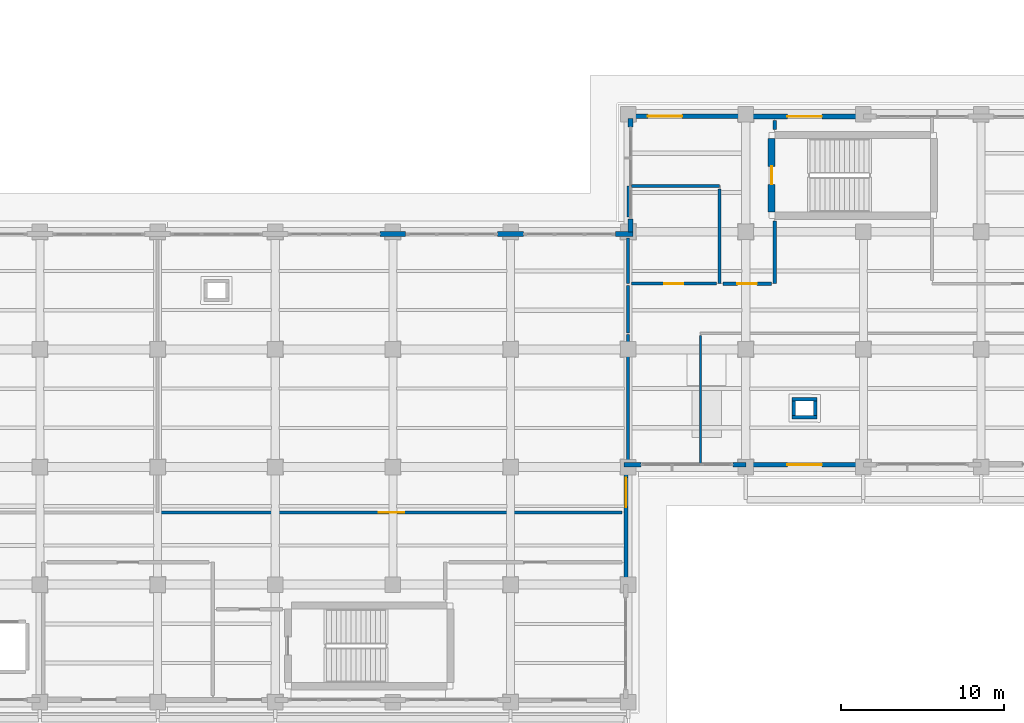
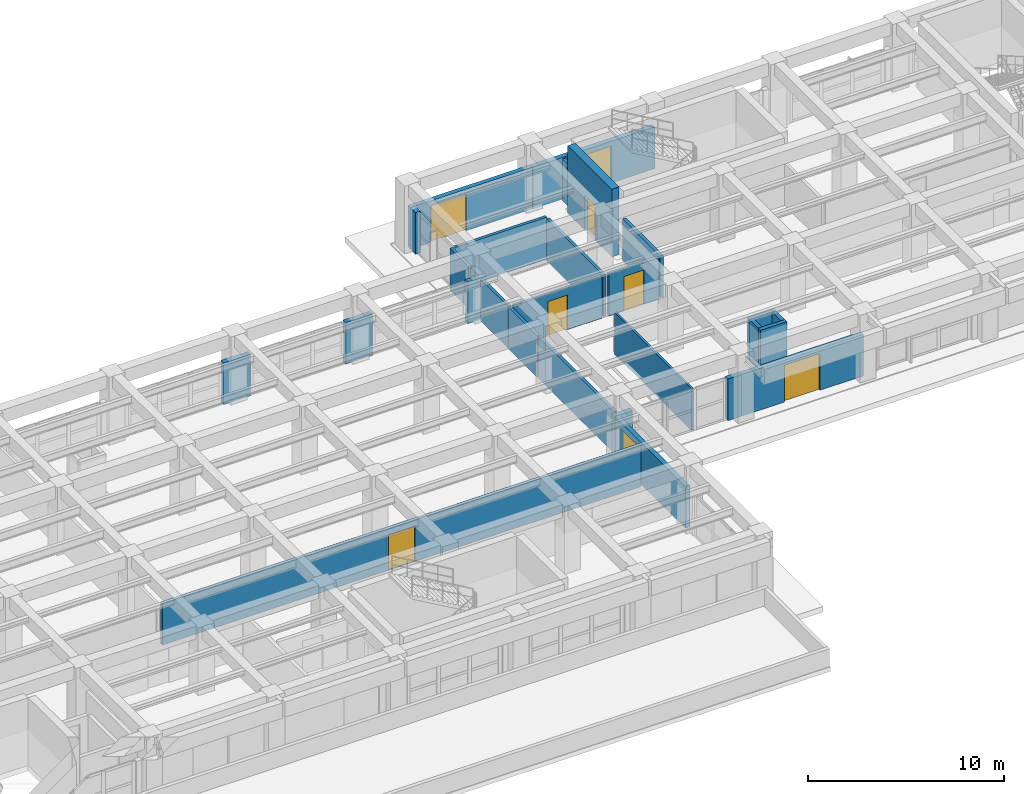
# One storey, part 43 of 64: 28 walls, 8 doors, 8 openings.
"""IFC4 building model written with IfcOpenShell, lengths in metres."""

from ifc_helpers import new_model, si_unit, direction, frame, frame_2d, origin, place, context, subcontext, project, spatial, rectangle, extrude, material, layer, layer_set, type_object, element, fill, save


model = new_model("IFC4")

# Units and contexts
model_context = context("Model", 3, precision=1e-05, world=origin(), true_north=direction((0.0, 1.0)))
body_context = subcontext(model_context, "Body", "Model", "MODEL_VIEW")
ifc_project = project(units=[si_unit("LENGTHUNIT", "METRE"), si_unit("AREAUNIT", "SQUARE_METRE"), si_unit("VOLUMEUNIT", "CUBIC_METRE"), si_unit("PLANEANGLEUNIT", "RADIAN"), si_unit("MASSUNIT", "GRAM", prefix="KILO")], contexts=[model_context])

# Site, building, storey
site_placement = place(None, origin())
site = spatial("IfcSite", under=ifc_project, at=site_placement, CompositionType="ELEMENT")
building_placement = place(site_placement, origin())
building = spatial("IfcBuilding", under=site, at=building_placement, Name="Solenvale Faculty of Natural Sciences", CompositionType="ELEMENT")
storey_placement = place(building_placement, origin())
storey = spatial("IfcBuildingStorey", under=building, at=storey_placement, Name="L00", CompositionType="ELEMENT", Elevation=0.0)

# Wall, opening, door
ifc_material_1 = material(Name="Precast concrete 40 MPa", Category="concrete")
ifc_layer_1 = layer(ifc_material_1, 0.264892578125)
ifc_layer_set_1 = layer_set([ifc_layer_1], Name="Precast concrete 40 MPa")
wall_type_1 = type_object("IfcWallType", Name="WL-EXT-PRC-265", PredefinedType="STANDARD", material=ifc_layer_set_1)
wall_1_placement = place(storey_placement, frame((115.0673828125, 36.0, 0.0), z_axis=(0.0, 0.0, 1.0), x_axis=(0.0, -1.0, 0.0)))
wall_1 = element("IfcWall", 1, at=wall_1_placement, inside=storey, type_object=wall_type_1, Name="L00 Exterior Wall 4.2", PredefinedType="STANDARD", context=body_context, shape_type="SweptSolid", body=[
    extrude(rectangle(XDim=7.199951171875, YDim=0.264892578125, at=frame_2d((3.60009765625, 0.0))), origin(), (0.0, 0.0, 1.0), 2.60009765625),
])
opening_1_placement = place(wall_1_placement, frame((0.64990234375, 0.0, 0.0)))
opening_1 = element("IfcOpeningElement", 2, at=opening_1_placement, cuts=wall_1, Name="Opening EX-05", PredefinedType="OPENING", context=body_context, shape_type="SweptSolid", body=[
    extrude(rectangle(XDim=1.800048828125, YDim=2.199951171875, at=frame_2d((0.89990234375, 1.10009765625))), frame((0.0, 0.142333984375, 0.0), z_axis=(0.0, -1.0, 0.0), x_axis=(1.0, 0.0, 0.0)), (0.0, 0.0, 1.0), 0.284912109375),
])
ifc_material_2 = material(Name="Anodised bronze aluminium", Category="aluminium")
door_type_1 = type_object("IfcDoorType", Name="DR-EXT-1800x2200", OperationType="NOTDEFINED", PredefinedType="DOOR", material=ifc_material_2)
door_1_placement = place(opening_1_placement, origin())
door_1 = element("IfcDoor", 3, at=door_1_placement, inside=storey, type_object=door_type_1, Name="L00 Exterior Exit Door EX-05", OperationType="DOUBLE_DOOR_SINGLE_SWING", OverallHeight=2.199951171875, OverallWidth=1.800048828125, PredefinedType="DOOR", context=body_context, shape_type="SweptSolid", body=[
    extrude(rectangle(XDim=1.800048828125, YDim=2.199951171875, at=frame_2d((0.89990234375, 1.10009765625))), frame((0.0, 0.02490234375, 0.0), z_axis=(0.0, -1.0, 0.0), x_axis=(1.0, 0.0, 0.0)), (0.0, 0.0, 1.0), 0.050048828125),
])
fill(opening_1, door_1)

wall_2_placement = place(storey_placement, frame((129.60009765625, 36.132568359375, 0.0), z_axis=(0.0, 0.0, 1.0), x_axis=(-1.0, 0.0, 0.0)))
wall_2 = element("IfcWall", 4, at=wall_2_placement, inside=storey, type_object=wall_type_1, Name="L00 Exterior Wall 5.2", PredefinedType="STANDARD", context=body_context, shape_type="SweptSolid", body=[
    extrude(rectangle(XDim=7.2001953125, YDim=0.264892578125, at=frame_2d((3.60009765625, 0.0))), origin(), (0.0, 0.0, 1.0), 2.60009765625),
])
opening_2_placement = place(wall_2_placement, frame((2.550048828125, 0.0, 0.0)))
opening_2 = element("IfcOpeningElement", 5, at=opening_2_placement, cuts=wall_2, Name="Opening EX-06", PredefinedType="OPENING", context=body_context, shape_type="SweptSolid", body=[
    extrude(rectangle(XDim=2.10009765625, YDim=2.300048828125, at=frame_2d((1.050048828125, 1.14990234375))), frame((0.0, 0.142333984375, 0.0), z_axis=(0.0, -1.0, 0.0), x_axis=(1.0, 0.0, 0.0)), (0.0, 0.0, 1.0), 0.284912109375),
])
door_type_2 = type_object("IfcDoorType", Name="DR-EXT-2100x2300", OperationType="NOTDEFINED", PredefinedType="DOOR", material=ifc_material_2)
door_2_placement = place(opening_2_placement, origin())
door_2 = element("IfcDoor", 6, at=door_2_placement, inside=storey, type_object=door_type_2, Name="L00 Exterior Exit Door EX-06", OperationType="DOUBLE_DOOR_SINGLE_SWING", OverallHeight=2.300048828125, OverallWidth=2.10009765625, PredefinedType="DOOR", context=body_context, shape_type="SweptSolid", body=[
    extrude(rectangle(XDim=2.10009765625, YDim=2.300048828125, at=frame_2d((1.050048828125, 1.14990234375))), frame((0.0, 0.02490234375, 0.0), z_axis=(0.0, -1.0, 0.0), x_axis=(1.0, 0.0, 0.0)), (0.0, 0.0, 1.0), 0.050048828125),
])
fill(opening_2, door_2)

wall_3_placement = place(storey_placement, frame((115.199951171875, 57.467529296875, 0.0), z_axis=(0.0, 0.0, 1.0), x_axis=(1.0, 0.0, 0.0)))
wall_3 = element("IfcWall", 7, at=wall_3_placement, inside=storey, type_object=wall_type_1, Name="L00 Exterior Wall 7.7", PredefinedType="STANDARD", context=body_context, shape_type="SweptSolid", body=[
    extrude(rectangle(XDim=7.199951171875, YDim=0.264892578125, at=frame_2d((3.60009765625, 0.0))), origin(), (0.0, 0.0, 1.0), 2.60009765625),
])
opening_3_placement = place(wall_3_placement, frame((1.199951171875, 0.0, 0.0)))
opening_3 = element("IfcOpeningElement", 8, at=opening_3_placement, cuts=wall_3, Name="Opening EX-11", PredefinedType="OPENING", context=body_context, shape_type="SweptSolid", body=[
    extrude(rectangle(XDim=2.10009765625, YDim=2.300048828125, at=frame_2d((1.050048828125, 1.14990234375))), frame((0.0, 0.142333984375, 0.0), z_axis=(0.0, -1.0, 0.0), x_axis=(1.0, 0.0, 0.0)), (0.0, 0.0, 1.0), 0.284912109375),
])
door_3_placement = place(opening_3_placement, origin())
door_3 = element("IfcDoor", 9, at=door_3_placement, inside=storey, type_object=door_type_2, Name="L00 Exterior Exit Door EX-11", OperationType="DOUBLE_DOOR_SINGLE_SWING", OverallHeight=2.300048828125, OverallWidth=2.10009765625, PredefinedType="DOOR", context=body_context, shape_type="SweptSolid", body=[
    extrude(rectangle(XDim=2.10009765625, YDim=2.300048828125, at=frame_2d((1.050048828125, 1.14990234375))), frame((0.0, 0.02490234375, 0.0), z_axis=(0.0, -1.0, 0.0), x_axis=(1.0, 0.0, 0.0)), (0.0, 0.0, 1.0), 0.050048828125),
])
fill(opening_3, door_3)

# Walls
ifc_layer_2 = layer(ifc_material_1, 0.284912109375)
ifc_layer_set_2 = layer_set([ifc_layer_2], Name="Precast concrete 40 MPa")
wall_type_2 = type_object("IfcWallType", Name="WL-EXT-PRC-285", PredefinedType="STANDARD", material=ifc_layer_set_2)
wall_4_placement = place(storey_placement, frame((114.93505859375, 36.142578125, 0.0), z_axis=(0.0, 0.0, 1.0), x_axis=(1.0, 0.0, 0.0)))
element("IfcWall", 10, at=wall_4_placement, inside=storey, type_object=wall_type_2, Name="L00 Facade Closure Pier 5.B1-L", PredefinedType="STANDARD", context=body_context, shape_type="SweptSolid", body=[
    extrude(rectangle(XDim=1.052978515625, YDim=0.284912109375, at=frame_2d((0.5263671875, 0.0))), origin(), (0.0, 0.0, 1.0), 2.60009765625),
])
wall_5_placement = place(storey_placement, frame((121.612060546875, 36.142578125, 0.0), z_axis=(0.0, 0.0, 1.0), x_axis=(1.0, 0.0, 0.0)))
element("IfcWall", 11, at=wall_5_placement, inside=storey, type_object=wall_type_2, Name="L00 Facade Closure Pier 5.B1-R", PredefinedType="STANDARD", context=body_context, shape_type="SweptSolid", body=[
    extrude(rectangle(XDim=0.787841796875, YDim=0.284912109375, at=frame_2d((0.39404296875, 0.0))), origin(), (0.0, 0.0, 1.0), 2.60009765625),
])

# Wall, opening, door
wall_6_placement = place(storey_placement, frame((122.39990234375, 57.45751953125, 0.0), z_axis=(0.0, 0.0, 1.0), x_axis=(1.0, 0.0, 0.0)))
wall_6 = element("IfcWall", 12, at=wall_6_placement, inside=storey, type_object=wall_type_2, Name="L00 Exterior Wall 7.6", PredefinedType="STANDARD", context=body_context, shape_type="SweptSolid", body=[
    extrude(rectangle(XDim=7.2001953125, YDim=0.284912109375, at=frame_2d((3.60009765625, 0.0))), origin(), (0.0, 0.0, 1.0), 2.60009765625),
])
opening_4_placement = place(wall_6_placement, frame((2.550048828125, 0.0, 0.0)))
opening_4 = element("IfcOpeningElement", 13, at=opening_4_placement, cuts=wall_6, Name="Opening EX-10", PredefinedType="OPENING", context=body_context, shape_type="SweptSolid", body=[
    extrude(rectangle(XDim=2.10009765625, YDim=2.300048828125, at=frame_2d((1.050048828125, 1.14990234375))), frame((0.0, 0.15234375, 0.0), z_axis=(0.0, -1.0, 0.0), x_axis=(1.0, 0.0, 0.0)), (0.0, 0.0, 1.0), 0.304931640625),
])
door_4_placement = place(opening_4_placement, origin())
door_4 = element("IfcDoor", 14, at=door_4_placement, inside=storey, type_object=door_type_2, Name="L00 Exterior Exit Door EX-10", OperationType="DOUBLE_DOOR_SINGLE_SWING", OverallHeight=2.300048828125, OverallWidth=2.10009765625, PredefinedType="DOOR", context=body_context, shape_type="SweptSolid", body=[
    extrude(rectangle(XDim=2.10009765625, YDim=2.300048828125, at=frame_2d((1.050048828125, 1.14990234375))), frame((0.0, 0.02490234375, 0.0), z_axis=(0.0, -1.0, 0.0), x_axis=(1.0, 0.0, 0.0)), (0.0, 0.0, 1.0), 0.050048828125),
])
fill(opening_4, door_4)

# Walls
wall_7_placement = place(storey_placement, frame((115.342529296875, 57.3349609375, 0.0), z_axis=(0.0, 0.0, 1.0), x_axis=(0.0, -1.0, 0.0)))
element("IfcWall", 15, at=wall_7_placement, inside=storey, type_object=wall_type_2, Name="L00 Facade Closure Pier 8.B1-L", PredefinedType="STANDARD", context=body_context, shape_type="SweptSolid", body=[
    extrude(rectangle(XDim=0.52294921875, YDim=0.284912109375, at=frame_2d((0.261474609375, 0.0))), origin(), (0.0, 0.0, 1.0), 2.60009765625),
])
wall_8_placement = place(storey_placement, frame((115.342529296875, 51.18798828125, 0.0), z_axis=(0.0, 0.0, 1.0), x_axis=(0.0, -1.0, 0.0)))
element("IfcWall", 16, at=wall_8_placement, inside=storey, type_object=wall_type_2, Name="L00 Facade Closure Pier 8.B1-R", PredefinedType="STANDARD", context=body_context, shape_type="SweptSolid", body=[
    extrude(rectangle(XDim=0.7880859375, YDim=0.284912109375, at=frame_2d((0.39404296875, 0.0))), origin(), (0.0, 0.0, 1.0), 2.60009765625),
])
wall_9_placement = place(storey_placement, frame((115.485107421875, 50.257568359375, 0.0), z_axis=(0.0, 0.0, 1.0), x_axis=(-1.0, 0.0, 0.0)))
element("IfcWall", 17, at=wall_9_placement, inside=storey, type_object=wall_type_2, Name="L00 Facade Closure Pier 9.B1-L", PredefinedType="STANDARD", context=body_context, shape_type="SweptSolid", body=[
    extrude(rectangle(XDim=1.072998046875, YDim=0.284912109375, at=frame_2d((0.53662109375, 0.0))), origin(), (0.0, 0.0, 1.0), 2.60009765625),
])
wall_10_placement = place(storey_placement, frame((108.7880859375, 50.257568359375, 0.0), z_axis=(0.0, 0.0, 1.0), x_axis=(-1.0, 0.0, 0.0)))
element("IfcWall", 18, at=wall_10_placement, inside=storey, type_object=wall_type_2, Name="L00 Facade Closure Pier 9.B1-R", PredefinedType="STANDARD", context=body_context, shape_type="SweptSolid", body=[
    extrude(rectangle(XDim=1.576171875, YDim=0.284912109375, at=frame_2d((0.7880859375, 0.0))), origin(), (0.0, 0.0, 1.0), 2.60009765625),
])
wall_11_placement = place(storey_placement, frame((101.587890625, 50.257568359375, 0.0), z_axis=(0.0, 0.0, 1.0), x_axis=(-1.0, 0.0, 0.0)))
element("IfcWall", 19, at=wall_11_placement, inside=storey, type_object=wall_type_2, Name="L00 Facade Closure Pier 9.B2-R", PredefinedType="STANDARD", context=body_context, shape_type="SweptSolid", body=[
    extrude(rectangle(XDim=1.575927734375, YDim=0.284912109375, at=frame_2d((0.7880859375, 0.0))), origin(), (0.0, 0.0, 1.0), 2.60009765625),
])
ifc_material_3 = material(Name="Gypsum fire-rated shaftwall")
ifc_layer_3 = layer(ifc_material_3, 0.205078125)
ifc_layer_set_3 = layer_set([ifc_layer_3], Name="Gypsum fire-rated shaftwall")
wall_type_3 = type_object("IfcWallType", Name="WL-FFL-205", PredefinedType="PARTITIONING", material=ifc_layer_set_3)
wall_12_placement = place(storey_placement, frame((124.179931640625, 57.200927734375, 0.0), z_axis=(0.0, 0.0, 1.0), x_axis=(0.0, -1.0, 0.0)))
element("IfcWall", 20, at=wall_12_placement, inside=storey, type_object=wall_type_3, Name="L00 Protected Exit Vestibule ST-08 Partition 5", PredefinedType="PARTITIONING", context=body_context, shape_type="SweptSolid", body=[
    extrude(rectangle(XDim=0.5478515625, YDim=0.205078125, at=frame_2d((0.27392578125, 0.0))), origin(), (0.0, 0.0, 1.0), 2.60009765625),
])
wall_13_placement = place(storey_placement, frame((124.179931640625, 51.047119140625, 0.0), z_axis=(0.0, 0.0, 1.0), x_axis=(0.0, -1.0, 0.0)))
element("IfcWall", 21, at=wall_13_placement, inside=storey, type_object=wall_type_3, Name="L00 Protected Exit Vestibule ST-08 Partition 6", PredefinedType="PARTITIONING", context=body_context, shape_type="SweptSolid", body=[
    extrude(rectangle(XDim=3.8271484375, YDim=0.205078125, at=frame_2d((1.91357421875, 0.0))), origin(), (0.0, 0.0, 1.0), 2.60009765625),
])

# Wall, opening, door
wall_14_placement = place(storey_placement, frame((123.962890625, 47.219970703125, 0.0), z_axis=(0.0, 0.0, 1.0), x_axis=(-1.0, 0.0, 0.0)))
wall_14 = element("IfcWall", 22, at=wall_14_placement, inside=storey, type_object=wall_type_3, Name="L00 Protected Exit Vestibule ST-08 Partition 7", PredefinedType="PARTITIONING", context=body_context, shape_type="SweptSolid", body=[
    extrude(rectangle(XDim=2.9580078125, YDim=0.205078125, at=frame_2d((1.47900390625, 0.0))), origin(), (0.0, 0.0, 1.0), 2.60009765625),
])
opening_5_placement = place(wall_14_placement, frame((0.87890625, 0.0, 0.0)))
opening_5 = element("IfcOpeningElement", 23, at=opening_5_placement, cuts=wall_14, Name="Opening D-L00-32", PredefinedType="OPENING", context=body_context, shape_type="SweptSolid", body=[
    extrude(rectangle(XDim=1.199951171875, YDim=2.14990234375, at=frame_2d((0.60009765625, 1.074951171875))), frame((0.0, 0.112548828125, 0.0), z_axis=(0.0, -1.0, 0.0), x_axis=(1.0, 0.0, 0.0)), (0.0, 0.0, 1.0), 0.22509765625),
])
ifc_material_4 = material(Name="Galvanised steel S355", Category="steel")
door_type_3 = type_object("IfcDoorType", Name="DR-FFL-1200x2150", OperationType="NOTDEFINED", PredefinedType="DOOR", material=ifc_material_4)
door_5_placement = place(opening_5_placement, origin())
door_5 = element("IfcDoor", 24, at=door_5_placement, inside=storey, type_object=door_type_3, Name="L00 Protected Exit Vestibule ST-08 Door", OperationType="SINGLE_SWING_RIGHT", OverallHeight=2.14990234375, OverallWidth=1.199951171875, PredefinedType="DOOR", context=body_context, shape_type="SweptSolid", body=[
    extrude(rectangle(XDim=1.199951171875, YDim=2.14990234375, at=frame_2d((0.60009765625, 1.074951171875))), frame((0.0, 0.02490234375, 0.0), z_axis=(0.0, -1.0, 0.0), x_axis=(1.0, 0.0, 0.0)), (0.0, 0.0, 1.0), 0.050048828125),
])
fill(opening_5, door_5)

ifc_material_5 = material(Name="Gypsum fire-rated laboratory partition")
ifc_layer_4 = layer(ifc_material_5, 0.175048828125)
ifc_layer_set_4 = layer_set([ifc_layer_4], Name="Gypsum fire-rated laboratory partition")
wall_type_4 = type_object("IfcWallType", Name="WL-LAB-175", PredefinedType="PARTITIONING", material=ifc_layer_set_4)
wall_15_placement = place(storey_placement, frame((114.8349609375, 33.219970703125, 0.0), z_axis=(0.0, 0.0, 1.0), x_axis=(-1.0, 0.0, 0.0)))
wall_15 = element("IfcWall", 25, at=wall_15_placement, inside=storey, type_object=wall_type_4, Name="L00 Dry Physics Teaching Laboratory Partition 17", PredefinedType="PARTITIONING", context=body_context, shape_type="SweptSolid", body=[
    extrude(rectangle(XDim=28.2529296875, YDim=0.175048828125, at=frame_2d((14.12646484375, 0.0))), origin(), (0.0, 0.0, 1.0), 2.60009765625),
])
opening_6_placement = place(wall_15_placement, frame((13.35107421875, 0.0, 0.0)))
opening_6 = element("IfcOpeningElement", 26, at=opening_6_placement, cuts=wall_15, Name="Opening D-L00-13", PredefinedType="OPENING", context=body_context, shape_type="SweptSolid", body=[
    extrude(rectangle(XDim=1.550048828125, YDim=2.199951171875, at=frame_2d((0.77490234375, 1.10009765625))), frame((0.0, 0.097412109375, 0.0), z_axis=(0.0, -1.0, 0.0), x_axis=(1.0, 0.0, 0.0)), (0.0, 0.0, 1.0), 0.195068359375),
])
ifc_material_6 = material(Name="Oak acoustic timber leaf", Category="wood")
door_type_4 = type_object("IfcDoorType", Name="DR-LAB-1550x2200", OperationType="NOTDEFINED", PredefinedType="DOOR", material=ifc_material_6)
door_6_placement = place(opening_6_placement, origin())
door_6 = element("IfcDoor", 27, at=door_6_placement, inside=storey, type_object=door_type_4, Name="L00 Dry Physics Teaching Laboratory Door", OperationType="SINGLE_SWING_LEFT", OverallHeight=2.199951171875, OverallWidth=1.550048828125, PredefinedType="DOOR", context=body_context, shape_type="SweptSolid", body=[
    extrude(rectangle(XDim=1.550048828125, YDim=2.199951171875, at=frame_2d((0.77490234375, 1.10009765625))), frame((0.0, 0.02490234375, 0.0), z_axis=(0.0, -1.0, 0.0), x_axis=(1.0, 0.0, 0.0)), (0.0, 0.0, 1.0), 0.050048828125),
])
fill(opening_6, door_6)

# Walls
wall_16_placement = place(storey_placement, frame((115.199951171875, 50.01611328125, 0.0), z_axis=(0.0, 0.0, 1.0), x_axis=(0.0, -1.0, 0.0)))
element("IfcWall", 28, at=wall_16_placement, inside=storey, type_object=wall_type_4, Name="L00 Dry Physics Teaching Laboratory Partition 20", PredefinedType="PARTITIONING", context=body_context, shape_type="SweptSolid", body=[
    extrude(rectangle(XDim=2.796142578125, YDim=0.175048828125, at=frame_2d((1.39794921875, 0.0))), origin(), (0.0, 0.0, 1.0), 2.60009765625),
])
wall_17_placement = place(storey_placement, frame((115.179931640625, 47.1201171875, 0.0), z_axis=(0.0, 0.0, 1.0), x_axis=(0.0, -1.0, 0.0)))
element("IfcWall", 29, at=wall_17_placement, inside=storey, type_object=wall_type_4, Name="L00 Dry Physics Teaching Laboratory Partition 37", PredefinedType="PARTITIONING", context=body_context, shape_type="SweptSolid", body=[
    extrude(rectangle(XDim=2.920166015625, YDim=0.175048828125, at=frame_2d((1.4599609375, 0.0))), origin(), (0.0, 0.0, 1.0), 2.60009765625),
])
wall_18_placement = place(storey_placement, frame((115.199951171875, 44.10107421875, 0.0), z_axis=(0.0, 0.0, 1.0), x_axis=(0.0, -1.0, 0.0)))
element("IfcWall", 30, at=wall_18_placement, inside=storey, type_object=wall_type_4, Name="L00 Dry Physics Teaching Laboratory Partition 54", PredefinedType="PARTITIONING", context=body_context, shape_type="SweptSolid", body=[
    extrude(rectangle(XDim=7.717041015625, YDim=0.175048828125, at=frame_2d((3.8583984375, 0.0))), origin(), (0.0, 0.0, 1.0), 2.60009765625),
])
ifc_material_7 = material(Name="Acoustic stud gypsum partition")
ifc_layer_5 = layer(ifc_material_7, 0.125)
ifc_layer_set_5 = layer_set([ifc_layer_5], Name="Acoustic stud gypsum partition")
wall_type_5 = type_object("IfcWallType", Name="WL-OFF-125", PredefinedType="PARTITIONING", material=ifc_layer_set_5)
wall_19_placement = place(storey_placement, frame((119.6201171875, 36.181884765625, 0.0), z_axis=(0.0, 0.0, 1.0), x_axis=(0.0, 1.0, 0.0)))
element("IfcWall", 31, at=wall_19_placement, inside=storey, type_object=wall_type_5, Name="L00 Natural History Specimen Exhibition Room Partition 4", PredefinedType="PARTITIONING", context=body_context, shape_type="SweptSolid", body=[
    extrude(rectangle(XDim=7.861083984375, YDim=0.125, at=frame_2d((3.9306640625, 0.0))), origin(), (0.0, 0.0, 1.0), 2.60009765625),
])
ifc_material_8 = material(Name="Acoustic double-stud gypsum partition")
ifc_layer_6 = layer(ifc_material_8, 0.179931640625)
ifc_layer_set_6 = layer_set([ifc_layer_6], Name="Acoustic double-stud gypsum partition")
wall_type_6 = type_object("IfcWallType", Name="WL-SEM-180", PredefinedType="PARTITIONING", material=ifc_layer_set_6)
wall_20_placement = place(storey_placement, frame((115.219970703125, 51.2900390625, 0.0), z_axis=(0.0, 0.0, 1.0), x_axis=(0.0, 1.0, 0.0)))
element("IfcWall", 32, at=wall_20_placement, inside=storey, type_object=wall_type_6, Name="L00 Collaborative Seminar Room Partition 1", PredefinedType="PARTITIONING", context=body_context, shape_type="SweptSolid", body=[
    extrude(rectangle(XDim=1.909912109375, YDim=0.179931640625, at=frame_2d((0.955078125, 0.0))), origin(), (0.0, 0.0, 1.0), 2.60009765625),
])
wall_21_placement = place(storey_placement, frame((115.412109375, 53.199951171875, 0.0), z_axis=(0.0, 0.0, 1.0), x_axis=(1.0, 0.0, 0.0)))
element("IfcWall", 33, at=wall_21_placement, inside=storey, type_object=wall_type_6, Name="L00 Collaborative Seminar Room Partition 2", PredefinedType="PARTITIONING", context=body_context, shape_type="SweptSolid", body=[
    extrude(rectangle(XDim=5.387939453125, YDim=0.179931640625, at=frame_2d((2.69384765625, 0.0))), origin(), (0.0, 0.0, 1.0), 2.60009765625),
])
wall_22_placement = place(storey_placement, frame((120.800048828125, 53.008056640625, 0.0), z_axis=(0.0, 0.0, 1.0), x_axis=(0.0, -1.0, 0.0)))
element("IfcWall", 34, at=wall_22_placement, inside=storey, type_object=wall_type_6, Name="L00 Collaborative Seminar Room Partition 3", PredefinedType="PARTITIONING", context=body_context, shape_type="SweptSolid", body=[
    extrude(rectangle(XDim=5.7880859375, YDim=0.179931640625, at=frame_2d((2.89404296875, 0.0))), origin(), (0.0, 0.0, 1.0), 2.60009765625),
])

# Wall, opening, door
wall_23_placement = place(storey_placement, frame((120.60791015625, 47.219970703125, 0.0), z_axis=(0.0, 0.0, 1.0), x_axis=(-1.0, 0.0, 0.0)))
wall_23 = element("IfcWall", 35, at=wall_23_placement, inside=storey, type_object=wall_type_6, Name="L00 Collaborative Seminar Room Partition 4", PredefinedType="PARTITIONING", context=body_context, shape_type="SweptSolid", body=[
    extrude(rectangle(XDim=5.218017578125, YDim=0.179931640625, at=frame_2d((2.60888671875, 0.0))), origin(), (0.0, 0.0, 1.0), 2.60009765625),
])
opening_7_placement = place(wall_23_placement, frame((2.033935546875, 0.0, 0.0)))
opening_7 = element("IfcOpeningElement", 36, at=opening_7_placement, cuts=wall_23, Name="Opening D-L00-15", PredefinedType="OPENING", context=body_context, shape_type="SweptSolid", body=[
    extrude(rectangle(XDim=1.14990234375, YDim=2.14990234375, at=frame_2d((0.574951171875, 1.074951171875))), frame((0.0, 0.099853515625, 0.0), z_axis=(0.0, -1.0, 0.0), x_axis=(1.0, 0.0, 0.0)), (0.0, 0.0, 1.0), 0.199951171875),
])
door_type_5 = type_object("IfcDoorType", Name="DR-SEM-1150x2150", OperationType="NOTDEFINED", PredefinedType="DOOR", material=ifc_material_6)
door_7_placement = place(opening_7_placement, origin())
door_7 = element("IfcDoor", 37, at=door_7_placement, inside=storey, type_object=door_type_5, Name="L00 Collaborative Seminar Room Door", OperationType="SINGLE_SWING_LEFT", OverallHeight=2.14990234375, OverallWidth=1.14990234375, PredefinedType="DOOR", context=body_context, shape_type="SweptSolid", body=[
    extrude(rectangle(XDim=1.14990234375, YDim=2.14990234375, at=frame_2d((0.574951171875, 1.074951171875))), frame((0.0, 0.02490234375, 0.0), z_axis=(0.0, -1.0, 0.0), x_axis=(1.0, 0.0, 0.0)), (0.0, 0.0, 1.0), 0.050048828125),
])
fill(opening_7, door_7)

# Walls
ifc_material_9 = material(Name="Concrete 40 MPa", Category="concrete")
ifc_layer_7 = layer(ifc_material_9, 0.219970703125)
ifc_layer_set_7 = layer_set([ifc_layer_7], Name="Concrete 40 MPa")
wall_type_7 = type_object("IfcWallType", Name="WL-SHF-220", PredefinedType="STANDARD", material=ifc_layer_set_7)
for number, where, z_axis, x_axis, name in (
    (38, (125.22998046875, 39.0400390625, 0.0), (0.0, 0.0, 1.0), (1.0, 0.0, 0.0), "L00 Service Riser Shaft 7 Wall S"),
    (39, (125.22998046875, 40.159912109375, 0.0), (0.0, 0.0, 1.0), (1.0, 0.0, 0.0), "L00 Service Riser Shaft 7 Wall N"),
):
    element("IfcWall", number, at=place(storey_placement, frame(where, z_axis=z_axis, x_axis=x_axis)), inside=storey, type_object=wall_type_7, Name=name, PredefinedType="STANDARD", context=body_context, shape_type="SweptSolid", body=[
        extrude(rectangle(XDim=1.5400390625, YDim=0.219970703125, at=frame_2d((0.77001953125, 0.0))), origin(), (0.0, 0.0, 1.0), 2.60009765625),
    ])
for number, where, z_axis, x_axis, name in (
    (40, (125.340087890625, 39.14990234375, 0.0), (0.0, 0.0, 1.0), (0.0, 1.0, 0.0), "L00 Service Riser Shaft 7 Wall W"),
    (41, (126.659912109375, 39.14990234375, 0.0), (0.0, 0.0, 1.0), (0.0, 1.0, 0.0), "L00 Service Riser Shaft 7 Wall E"),
):
    element("IfcWall", number, at=place(storey_placement, frame(where, z_axis=z_axis, x_axis=x_axis)), inside=storey, type_object=wall_type_7, Name=name, PredefinedType="STANDARD", context=body_context, shape_type="SweptSolid", body=[
        extrude(rectangle(XDim=0.900146484375, YDim=0.219970703125, at=frame_2d((0.4501953125, 0.0))), origin(), (0.0, 0.0, 1.0), 2.60009765625),
    ])

# Wall, opening, door
ifc_material_10 = material(Name="Concrete 50 MPa", Category="concrete")
ifc_layer_8 = layer(ifc_material_10, 0.43994140625)
ifc_layer_set_8 = layer_set([ifc_layer_8], Name="Concrete 50 MPa")
wall_type_8 = type_object("IfcWallType", Name="WL-SHR-440", PredefinedType="SHEAR", material=ifc_layer_set_8)
wall_24_placement = place(storey_placement, frame((123.97998046875, 51.60009765625, 0.0), z_axis=(0.0, 0.0, 1.0), x_axis=(0.0, 1.0, 0.0)))
wall_24 = element("IfcWall", 42, at=wall_24_placement, inside=storey, type_object=wall_type_8, Name="Core C2B L00 Shear Wall W", PredefinedType="SHEAR", context=body_context, shape_type="SweptSolid", body=[
    extrude(rectangle(XDim=4.5, YDim=0.43994140625, at=frame_2d((2.25, 0.0))), origin(), (0.0, 0.0, 1.0), 4.219970703125),
])
opening_8_placement = place(wall_24_placement, frame((1.699951171875, 0.0, 0.0)))
opening_8 = element("IfcOpeningElement", 43, at=opening_8_placement, cuts=wall_24, Name="Opening DS-C2B-L00", PredefinedType="OPENING", context=body_context, shape_type="SweptSolid", body=[
    extrude(rectangle(XDim=1.10009765625, YDim=2.14990234375, at=frame_2d((0.550048828125, 1.074951171875))), frame((0.0, 0.22998046875, 0.0), z_axis=(0.0, -1.0, 0.0), x_axis=(1.0, 0.0, 0.0)), (0.0, 0.0, 1.0), 0.4599609375),
])
door_type_6 = type_object("IfcDoorType", Name="DR-STAIR-1100x2150", OperationType="NOTDEFINED", PredefinedType="DOOR", material=ifc_material_4)
door_8_placement = place(opening_8_placement, origin())
door_8 = element("IfcDoor", 44, at=door_8_placement, inside=storey, type_object=door_type_6, Name="L00 Stair ST-08 Fire Door", OperationType="SINGLE_SWING_RIGHT", OverallHeight=2.14990234375, OverallWidth=1.10009765625, PredefinedType="DOOR", context=body_context, shape_type="SweptSolid", body=[
    extrude(rectangle(XDim=1.10009765625, YDim=2.14990234375, at=frame_2d((0.550048828125, 1.074951171875))), frame((0.0, 0.02490234375, 0.0), z_axis=(0.0, -1.0, 0.0), x_axis=(1.0, 0.0, 0.0)), (0.0, 0.0, 1.0), 0.050048828125),
])
fill(opening_8, door_8)

save(model, "model.ifc")
